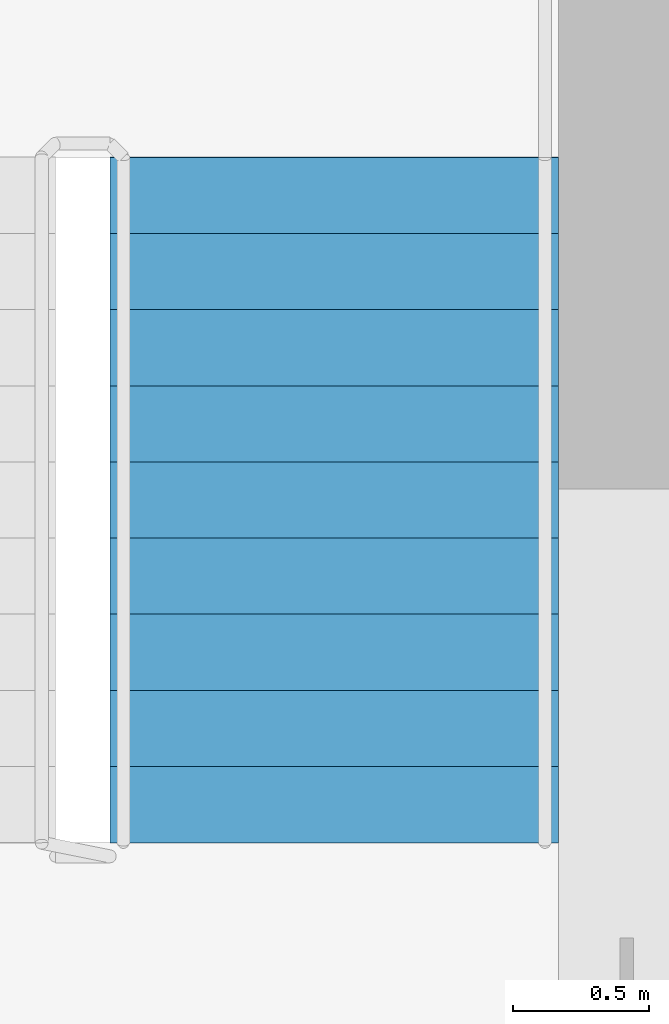
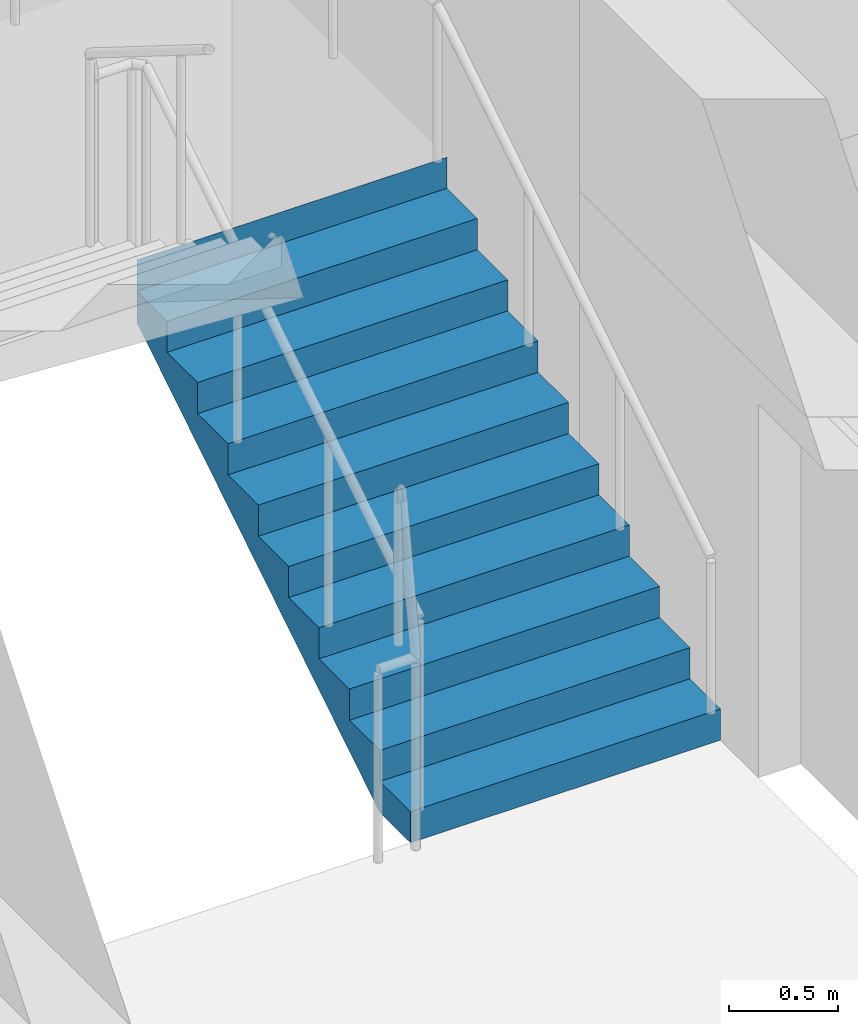
# One storey, part 10 of 11: 1 stair flight, 1 element without a shape of its own.
"""IFC4 building model written with IfcOpenShell, lengths in metres."""

import ifcopenshell
import ifcopenshell.guid

model = None  # the IFC model being written
_history = None  # IfcOwnerHistory: only IFC2X3 demands one
_inside = {}  # id of a spatial element -> (the spatial element, [elements in it])
_under = {}  # id of a project, library or spatial element -> (it, [spatial elements below it])
_declared = {}  # id of a project -> (the project, [libraries it declares])
_typed = {}  # id of a type object -> (the type object, [elements of that type])
_made_of = {}  # id of a material, layer set ... -> (it, [elements and type objects made of it])


def new_model(schema):
    """Start an empty IFC model of exactly this schema.

    Asked for "IFC4X3", IfcOpenShell would pick the latest addendum, in which some entities
    have other attributes; the version numbers below select the first issue.
    IFC2X3 requires an IfcOwnerHistory on every rooted entity: one is made here for all.
    """
    global model, _history
    if schema == "IFC4X3":
        model = ifcopenshell.file(schema_version=(4, 3, 0, 0))
    else:
        model = ifcopenshell.file(schema=schema)
    _inside.clear()
    _under.clear()
    _declared.clear()
    _typed.clear()
    _made_of.clear()
    _history = None
    if model.schema == "IFC2X3":
        org = make("IfcOrganization", Name="unknown")
        user = make(
            "IfcPersonAndOrganization",
            ThePerson=make("IfcPerson", FamilyName="unknown"),
            TheOrganization=org,
        )
        app = make(
            "IfcApplication",
            ApplicationDeveloper=org,
            Version="unknown",
            ApplicationFullName="unknown",
            ApplicationIdentifier="unknown",
        )
        _history = make(
            "IfcOwnerHistory",
            OwningUser=user,
            OwningApplication=app,
            ChangeAction="ADDED",
            CreationDate=0,
        )
    return model


def make(cls, **values):
    """One entity of the class cls with the attributes given. An attribute that is None is left unset."""
    return model.create_entity(
        cls, **{name: value for name, value in values.items() if value is not None}
    )


def rooted(cls, **values):
    """An entity with a GlobalId (a new one), such as an element, a storey or a relation."""
    return make(cls, GlobalId=ifcopenshell.guid.new(), OwnerHistory=_history, **values)


def si_unit(unit_type, name, prefix=None):
    """IfcSIUnit, for example si_unit("LENGTHUNIT", "METRE", prefix="MILLI")."""
    return make("IfcSIUnit", UnitType=unit_type, Prefix=prefix, Name=name)


def assignment(units):
    """IfcUnitAssignment: the units of a project."""
    return None if units is None else make("IfcUnitAssignment", Units=units)


def point(xyz):
    """IfcCartesianPoint."""
    return None if xyz is None else make("IfcCartesianPoint", Coordinates=xyz)


def direction(xyz):
    """IfcDirection."""
    return None if xyz is None else make("IfcDirection", DirectionRatios=xyz)


def frame(location, z_axis=None, x_axis=None):
    """IfcAxis2Placement3D, a coordinate frame: its origin and axes. An axis left out is left unset."""
    return make(
        "IfcAxis2Placement3D",
        Location=point(location),
        Axis=direction(z_axis),
        RefDirection=direction(x_axis),
    )


def origin():
    """The frame at (0, 0, 0) with its axes left unset."""
    return frame((0.0, 0.0, 0.0))


def place(relative_to, where):
    """IfcLocalPlacement: puts the frame where relative to a parent placement (None: the world)."""
    return make(
        "IfcLocalPlacement", PlacementRelTo=relative_to, RelativePlacement=where
    )


def context(
    kind, dimensions, precision=None, world=None, true_north=None, identifier=None
):
    """IfcGeometricRepresentationContext, for example the 3D "Model" context."""
    return make(
        "IfcGeometricRepresentationContext",
        ContextIdentifier=identifier,
        ContextType=kind,
        CoordinateSpaceDimension=dimensions,
        Precision=precision,
        WorldCoordinateSystem=world,
        TrueNorth=true_north,
    )


def subcontext(parent, identifier, kind, view, scale=None):
    """IfcGeometricRepresentationSubContext, for example "Body" below "Model"."""
    return make(
        "IfcGeometricRepresentationSubContext",
        ContextIdentifier=identifier,
        ContextType=kind,
        ParentContext=parent,
        TargetScale=scale,
        TargetView=view,
    )


def project(units=None, contexts=None):
    """IfcProject with its units and contexts."""
    return rooted(
        "IfcProject",
        Name="project",
        RepresentationContexts=contexts,
        UnitsInContext=assignment(units),
    )


def spatial(cls, under=None, at=None, **own):
    """A site, building, storey or space (cls), placed at a placement, below another one or the project."""
    s = rooted(cls, ObjectPlacement=at, **own)
    if under is not None:
        _under.setdefault(under.id(), (under, []))[1].append(s)
    return s


def polyline(points):
    """IfcPolyline through the points."""
    return make("IfcPolyline", Points=[point(p) for p in points])


def outline(outer, holes=None, kind="AREA"):
    """IfcArbitraryClosedProfileDef: a profile drawn as a closed curve; with holes, ...WithVoids."""
    if holes is None:
        return make("IfcArbitraryClosedProfileDef", ProfileType=kind, OuterCurve=outer)
    return make(
        "IfcArbitraryProfileDefWithVoids",
        ProfileType=kind,
        OuterCurve=outer,
        InnerCurves=holes,
    )


def extrude(swept, where, along, depth):
    """IfcExtrudedAreaSolid: the profile swept, set in the frame where, extruded along a direction by depth."""
    return make(
        "IfcExtrudedAreaSolid",
        SweptArea=swept,
        Position=where,
        ExtrudedDirection=direction(along),
        Depth=depth,
    )


def shape(context_of_items, identifier, shape_type, items):
    """IfcShapeRepresentation: the items that make up one representation, for example the "Body"."""
    return make(
        "IfcShapeRepresentation",
        ContextOfItems=context_of_items,
        RepresentationIdentifier=identifier,
        RepresentationType=shape_type,
        Items=items,
    )


def material(Name=None, Category=None):
    """IfcMaterial."""
    return make("IfcMaterial", Name=Name, Category=Category)


def made_of(thing, what):
    """Note that an element or type object is made of a material, layer set ...; save() writes the relation."""
    if what is not None:
        _made_of.setdefault(what.id(), (what, []))[1].append(thing)
    return thing


def type_object(cls, material=None, **own):
    """A type object (cls), such as IfcWallType, which elements share."""
    return made_of(rooted(cls, **own), material)


def element(
    cls,
    number,
    at=None,
    inside=None,
    cuts=None,
    type_object=None,
    material=None,
    context=None,
    identifier="Body",
    shape_type=None,
    held_by="IfcProductDefinitionShape",
    body=None,
    shapes=None,
    **own,
):
    """One element of the class cls, such as IfcWall. Its Tag is "e" and its number.

    at: its placement. inside: the storey or other place that contains it. cuts: it is an
    opening in that element (IfcRelVoidsElement). A single representation is given by context,
    identifier, shape_type and body (its items); several are given by shapes. held_by: the class
    of the entity that holds the representations. save() writes the other relations.
    """
    e = rooted(cls, Tag="e%d" % number, ObjectPlacement=at, **own)
    if body is not None:
        shapes = [shape(context, identifier, shape_type, body)]
    if shapes is not None:
        e.Representation = make(held_by, Representations=shapes)
    if inside is not None:
        _inside.setdefault(inside.id(), (inside, []))[1].append(e)
    if cuts is not None:
        rooted(
            "IfcRelVoidsElement", RelatingBuildingElement=cuts, RelatedOpeningElement=e
        )
    if type_object is not None:
        _typed.setdefault(type_object.id(), (type_object, []))[1].append(e)
    return made_of(e, material)


def aggregate(whole, parts):
    """IfcRelAggregates: a whole, such as a stair, and the parts it consists of."""
    return rooted("IfcRelAggregates", RelatingObject=whole, RelatedObjects=parts)


def save(model, path):
    """Write the relations noted so far, then the file.

    IfcRelAggregates (storeys below a building ...), IfcRelContainedInSpatialStructure (elements
    in a storey), IfcRelDefinesByType, IfcRelAssociatesMaterial and IfcRelDeclares: one each for
    every whole, place, type object, material and project.
    """
    for whole, parts in _under.values():
        aggregate(whole, parts)
    for where, things in _inside.values():
        rooted(
            "IfcRelContainedInSpatialStructure",
            RelatedElements=things,
            RelatingStructure=where,
        )
    for kind, things in _typed.values():
        rooted("IfcRelDefinesByType", RelatedObjects=things, RelatingType=kind)
    for what, things in _made_of.values():
        rooted("IfcRelAssociatesMaterial", RelatedObjects=things, RelatingMaterial=what)
    for by, libraries in _declared.values():
        rooted("IfcRelDeclares", RelatingContext=by, RelatedDefinitions=libraries)
    model.write(path)


model = new_model("IFC4")

# Units and contexts
model_context = context("Model", 3, precision=1e-05, world=origin(), true_north=direction((0.0, 1.0)))
body_context = subcontext(model_context, "Body", "Model", "MODEL_VIEW")
ifc_project = project(units=[si_unit("LENGTHUNIT", "METRE"), si_unit("AREAUNIT", "SQUARE_METRE"), si_unit("VOLUMEUNIT", "CUBIC_METRE"), si_unit("PLANEANGLEUNIT", "RADIAN"), si_unit("MASSUNIT", "GRAM", prefix="KILO")], contexts=[model_context])

# Site, building, storey
site_placement = place(None, origin())
site = spatial("IfcSite", under=ifc_project, at=site_placement, CompositionType="ELEMENT")
building_placement = place(site_placement, origin())
building = spatial("IfcBuilding", under=site, at=building_placement, Name="Tamorin Gate", CompositionType="ELEMENT")
storey_placement = place(building_placement, frame((0.0, 0.0, 226.699951171875)))
storey = spatial("IfcBuildingStorey", under=building, at=storey_placement, Name="L56", CompositionType="ELEMENT", Elevation=226.699951171875)

# Stair, stair flight
ifc_material = material(Name="Concrete C40/50", Category="concrete")
stair_type = type_object("IfcStairType", Name="Exit stair", PredefinedType="HALF_TURN_STAIR", material=ifc_material)
stair_placement = place(storey_placement, origin())
stair = element("IfcStair", 1, at=stair_placement, inside=storey, type_object=stair_type, Name="L56 stair ST2", PredefinedType="HALF_TURN_STAIR")
stair_flight_type = type_object("IfcStairFlightType", Name="Exit stair flight", PredefinedType="STRAIGHT", material=ifc_material)
stair_flight_placement = place(storey_placement, frame((33.675048828125, 77.0, 0.0), z_axis=(0.0, 0.0, 1.0), x_axis=(0.0, 1.0, 0.0)))
stair_flight = element("IfcStairFlight", 2, at=stair_flight_placement, type_object=stair_flight_type, Name="ST2 flight 1", NumberOfRisers=10, NumberOfTreads=9, PredefinedType="STRAIGHT", RiserHeight=0.175, TreadLength=0.28, context=body_context, shape_type="SweptSolid", body=[
    extrude(outline(polyline([(-0.00048828125, 0.0), (-0.00048828125, 0.001708984375), (-0.00048828125, 0.00341796875), (-0.00048828125, 0.005126953125), (-0.00048828125, 0.0068359375), (-0.00048828125, 0.008544921875), (-0.00048828125, 0.010498046875), (-0.00048828125, 0.01220703125), (-0.00048828125, 0.013916015625), (-0.00048828125, 0.015625), (-0.00048828125, 0.017333984375), (-0.00048828125, 0.01904296875), (-0.00048828125, 0.020751953125), (-0.00048828125, 0.0224609375), (-0.00048828125, 0.024169921875), (-0.00048828125, 0.02587890625), (-0.00048828125, 0.02783203125), (-0.00048828125, 0.029541015625), (-0.00048828125, 0.03125), (-0.00048828125, 0.032958984375), (-0.00048828125, 0.03466796875), (-0.00048828125, 0.036376953125), (-0.00048828125, 0.0380859375), (-0.00048828125, 0.039794921875), (-0.00048828125, 0.04150390625), (-0.00048828125, 0.043212890625), (-0.00048828125, 0.045166015625), (-0.00048828125, 0.046875), (-0.00048828125, 0.048583984375), (-0.00048828125, 0.05029296875), (-0.00048828125, 0.052001953125), (-0.00048828125, 0.0537109375), (-0.00048828125, 0.055419921875), (-0.00048828125, 0.05712890625), (-0.00048828125, 0.058837890625), (-0.00048828125, 0.060546875), (-0.00048828125, 0.062255859375), (-0.00048828125, 0.064208984375), (-0.00048828125, 0.06591796875), (-0.00048828125, 0.067626953125), (-0.00048828125, 0.0693359375), (-0.00048828125, 0.071044921875), (-0.00048828125, 0.07275390625), (-0.00048828125, 0.074462890625), (-0.00048828125, 0.076171875), (-0.00048828125, 0.077880859375), (-0.00048828125, 0.07958984375), (-0.00048828125, 0.08154296875), (-0.00048828125, 0.083251953125), (-0.00048828125, 0.0849609375), (-0.00048828125, 0.086669921875), (-0.00048828125, 0.08837890625), (-0.00048828125, 0.090087890625), (-0.00048828125, 0.091796875), (-0.00048828125, 0.093505859375), (-0.00048828125, 0.09521484375), (-0.00048828125, 0.096923828125), (-0.00048828125, 0.098876953125), (-0.00048828125, 0.1005859375), (-0.00048828125, 0.102294921875), (-0.00048828125, 0.10400390625), (-0.00048828125, 0.105712890625), (-0.00048828125, 0.107421875), (-0.00048828125, 0.109130859375), (-0.00048828125, 0.11083984375), (-0.00048828125, 0.112548828125), (-0.00048828125, 0.1142578125), (-0.00048828125, 0.1162109375), (-0.00048828125, 0.117919921875), (-0.00048828125, 0.11962890625), (-0.00048828125, 0.121337890625), (-0.00048828125, 0.123046875), (-0.00048828125, 0.124755859375), (-0.00048828125, 0.12646484375), (-0.00048828125, 0.128173828125), (-0.00048828125, 0.1298828125), (-0.00048828125, 0.131591796875), (-0.00048828125, 0.13330078125), (-0.00048828125, 0.13525390625), (-0.00048828125, 0.136962890625), (-0.00048828125, 0.138671875), (-0.00048828125, 0.140380859375), (-0.00048828125, 0.14208984375), (-0.00048828125, 0.143798828125), (-0.00048828125, 0.1455078125), (-0.00048828125, 0.147216796875), (-0.00048828125, 0.14892578125), (-0.00048828125, 0.150634765625), (-0.00048828125, 0.152587890625), (-0.00048828125, 0.154296875), (-0.00048828125, 0.156005859375), (-0.00048828125, 0.15771484375), (-0.00048828125, 0.159423828125), (-0.00048828125, 0.1611328125), (-0.00048828125, 0.162841796875), (-0.00048828125, 0.16455078125), (-0.00048828125, 0.166259765625), (-0.00048828125, 0.16796875), (-0.00048828125, 0.169921875), (-0.00048828125, 0.171630859375), (-0.00048828125, 0.17333984375), (-0.00048828125, 0.175048828125), (0.280029296875, 0.175048828125), (0.280029296875, 0.35009765625), (0.56005859375, 0.35009765625), (0.56005859375, 0.52490234375), (0.840087890625, 0.52490234375), (0.840087890625, 0.699951171875), (1.1201171875, 0.699951171875), (1.1201171875, 0.875), (1.39990234375, 0.875), (1.39990234375, 1.050048828125), (1.679931640625, 1.050048828125), (1.679931640625, 1.22509765625), (1.9599609375, 1.22509765625), (1.9599609375, 1.39990234375), (2.239990234375, 1.39990234375), (2.239990234375, 1.574951171875), (2.52001953125, 1.574951171875), (2.52001953125, 1.75), (2.5205078125, 1.75), (2.5205078125, 1.74658203125), (2.5205078125, 1.742919921875), (2.5205078125, 1.739501953125), (2.5205078125, 1.736083984375), (2.5205078125, 1.732666015625), (2.5205078125, 1.72900390625), (2.5205078125, 1.7255859375), (2.5205078125, 1.72216796875), (2.5205078125, 1.71875), (2.5205078125, 1.715087890625), (2.5205078125, 1.711669921875), (2.5205078125, 1.708251953125), (2.5205078125, 1.704833984375), (2.5205078125, 1.701171875), (2.5205078125, 1.69775390625), (2.5205078125, 1.6943359375), (2.5205078125, 1.690673828125), (2.5205078125, 1.687255859375), (2.5205078125, 1.683837890625), (2.5205078125, 1.680419921875), (2.5205078125, 1.6767578125), (2.5205078125, 1.67333984375), (2.5205078125, 1.669921875), (2.5205078125, 1.66650390625), (2.5205078125, 1.662841796875), (2.5205078125, 1.659423828125), (2.5205078125, 1.656005859375), (2.5205078125, 1.652587890625), (2.5205078125, 1.64892578125), (2.5205078125, 1.6455078125), (2.5205078125, 1.64208984375), (2.5205078125, 1.638427734375), (2.5205078125, 1.635009765625), (2.5205078125, 1.631591796875), (2.5205078125, 1.628173828125), (2.5205078125, 1.62451171875), (2.5205078125, 1.62109375), (2.5205078125, 1.61767578125), (2.5205078125, 1.6142578125), (2.5205078125, 1.610595703125), (2.5205078125, 1.607177734375), (2.5205078125, 1.603759765625), (2.5205078125, 1.600341796875), (2.5205078125, 1.5966796875), (2.5205078125, 1.59326171875), (2.5205078125, 1.58984375), (2.5205078125, 1.58642578125), (2.5205078125, 1.582763671875), (2.5205078125, 1.579345703125), (2.5205078125, 1.575927734375), (2.5205078125, 1.572265625), (2.5205078125, 1.56884765625), (2.5205078125, 1.5654296875), (2.5205078125, 1.56201171875), (2.5205078125, 1.558349609375), (2.5205078125, 1.554931640625), (2.5205078125, 1.551513671875), (2.5205078125, 1.548095703125), (2.5205078125, 1.54443359375), (2.5205078125, 1.541015625), (2.5205078125, 1.53759765625), (2.5205078125, 1.5341796875), (2.5205078125, 1.530517578125), (2.5205078125, 1.527099609375), (2.5205078125, 1.523681640625), (2.5205078125, 1.52001953125), (2.5205078125, 1.5166015625), (2.5205078125, 1.51318359375), (2.5205078125, 1.509765625), (2.5205078125, 1.506103515625), (2.5205078125, 1.502685546875), (2.5205078125, 1.499267578125), (2.5205078125, 1.495849609375), (2.5205078125, 1.4921875), (2.5205078125, 1.48876953125), (2.5205078125, 1.4853515625), (2.5205078125, 1.48193359375), (2.5205078125, 1.478271484375), (2.5205078125, 1.474853515625), (2.5205078125, 1.471435546875), (2.5205078125, 1.4677734375), (2.5205078125, 1.46435546875), (2.5205078125, 1.4609375), (2.5205078125, 1.45751953125), (2.5205078125, 1.453857421875), (2.5205078125, 1.450439453125), (2.5205078125, 1.447021484375), (2.5205078125, 1.443603515625), (2.5205078125, 1.43994140625), (2.5205078125, 1.4365234375), (2.5205078125, 1.43310546875), (2.5205078125, 1.4296875), (2.5205078125, 1.426025390625), (2.5205078125, 1.422607421875), (2.5205078125, 1.419189453125), (2.5205078125, 1.41552734375), (2.5205078125, 1.412109375), (2.5205078125, 1.40869140625), (2.5205078125, 1.4052734375), (2.5205078125, 1.401611328125), (2.5205078125, 1.398193359375), (2.52001953125, 1.398193359375), (0.28271484375, 0.0), (-0.00048828125, 0.0)])), frame((0.0, 0.824951171875, 0.0), z_axis=(0.0, -1.0, 0.0), x_axis=(1.0, 0.0, 0.0)), (0.0, 0.0, 1.0), 1.64990234375),
])
aggregate(stair, [stair_flight])

save(model, "model.ifc")
